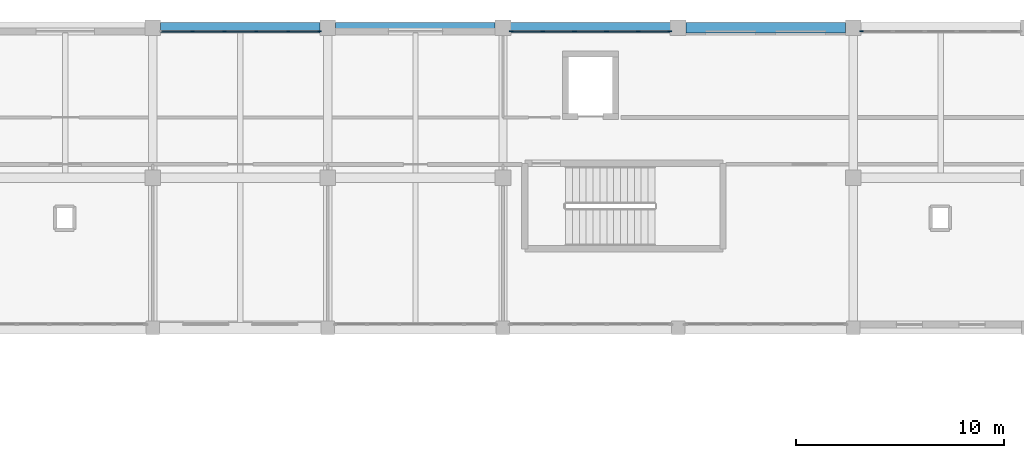
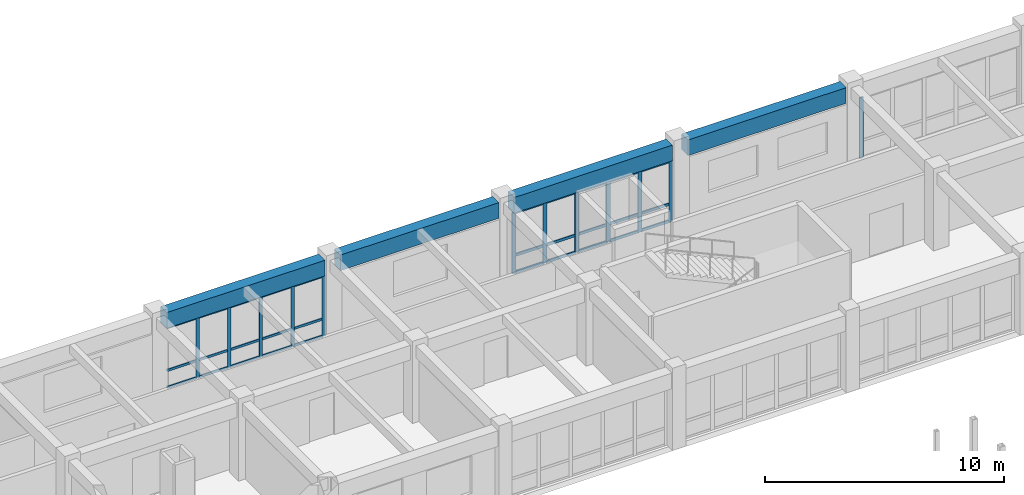
# One storey, part 97 of 147: 42 members, 4 beams, 3 elements without a shape of their own.
"""IFC4 building model written with IfcOpenShell, lengths in metres."""

import ifcopenshell
import ifcopenshell.guid

model = None  # the IFC model being written
_history = None  # IfcOwnerHistory: only IFC2X3 demands one
_inside = {}  # id of a spatial element -> (the spatial element, [elements in it])
_under = {}  # id of a project, library or spatial element -> (it, [spatial elements below it])
_declared = {}  # id of a project -> (the project, [libraries it declares])
_typed = {}  # id of a type object -> (the type object, [elements of that type])
_made_of = {}  # id of a material, layer set ... -> (it, [elements and type objects made of it])


def new_model(schema):
    """Start an empty IFC model of exactly this schema.

    Asked for "IFC4X3", IfcOpenShell would pick the latest addendum, in which some entities
    have other attributes; the version numbers below select the first issue.
    IFC2X3 requires an IfcOwnerHistory on every rooted entity: one is made here for all.
    """
    global model, _history
    if schema == "IFC4X3":
        model = ifcopenshell.file(schema_version=(4, 3, 0, 0))
    else:
        model = ifcopenshell.file(schema=schema)
    _inside.clear()
    _under.clear()
    _declared.clear()
    _typed.clear()
    _made_of.clear()
    _history = None
    if model.schema == "IFC2X3":
        org = make("IfcOrganization", Name="unknown")
        user = make(
            "IfcPersonAndOrganization",
            ThePerson=make("IfcPerson", FamilyName="unknown"),
            TheOrganization=org,
        )
        app = make(
            "IfcApplication",
            ApplicationDeveloper=org,
            Version="unknown",
            ApplicationFullName="unknown",
            ApplicationIdentifier="unknown",
        )
        _history = make(
            "IfcOwnerHistory",
            OwningUser=user,
            OwningApplication=app,
            ChangeAction="ADDED",
            CreationDate=0,
        )
    return model


def make(cls, **values):
    """One entity of the class cls with the attributes given. An attribute that is None is left unset."""
    return model.create_entity(
        cls, **{name: value for name, value in values.items() if value is not None}
    )


def rooted(cls, **values):
    """An entity with a GlobalId (a new one), such as an element, a storey or a relation."""
    return make(cls, GlobalId=ifcopenshell.guid.new(), OwnerHistory=_history, **values)


def si_unit(unit_type, name, prefix=None):
    """IfcSIUnit, for example si_unit("LENGTHUNIT", "METRE", prefix="MILLI")."""
    return make("IfcSIUnit", UnitType=unit_type, Prefix=prefix, Name=name)


def assignment(units):
    """IfcUnitAssignment: the units of a project."""
    return None if units is None else make("IfcUnitAssignment", Units=units)


def point(xyz):
    """IfcCartesianPoint."""
    return None if xyz is None else make("IfcCartesianPoint", Coordinates=xyz)


def direction(xyz):
    """IfcDirection."""
    return None if xyz is None else make("IfcDirection", DirectionRatios=xyz)


def frame(location, z_axis=None, x_axis=None):
    """IfcAxis2Placement3D, a coordinate frame: its origin and axes. An axis left out is left unset."""
    return make(
        "IfcAxis2Placement3D",
        Location=point(location),
        Axis=direction(z_axis),
        RefDirection=direction(x_axis),
    )


def frame_2d(location, x_axis=None):
    """IfcAxis2Placement2D, a coordinate frame in the plane: its origin and x axis."""
    return make(
        "IfcAxis2Placement2D", Location=point(location), RefDirection=direction(x_axis)
    )


def origin():
    """The frame at (0, 0, 0) with its axes left unset."""
    return frame((0.0, 0.0, 0.0))


def origin_2d():
    """The frame at (0, 0) in the plane with its x axis left unset."""
    return frame_2d((0.0, 0.0))


def place(relative_to, where):
    """IfcLocalPlacement: puts the frame where relative to a parent placement (None: the world)."""
    return make(
        "IfcLocalPlacement", PlacementRelTo=relative_to, RelativePlacement=where
    )


def context(
    kind, dimensions, precision=None, world=None, true_north=None, identifier=None
):
    """IfcGeometricRepresentationContext, for example the 3D "Model" context."""
    return make(
        "IfcGeometricRepresentationContext",
        ContextIdentifier=identifier,
        ContextType=kind,
        CoordinateSpaceDimension=dimensions,
        Precision=precision,
        WorldCoordinateSystem=world,
        TrueNorth=true_north,
    )


def subcontext(parent, identifier, kind, view, scale=None):
    """IfcGeometricRepresentationSubContext, for example "Body" below "Model"."""
    return make(
        "IfcGeometricRepresentationSubContext",
        ContextIdentifier=identifier,
        ContextType=kind,
        ParentContext=parent,
        TargetScale=scale,
        TargetView=view,
    )


def project(units=None, contexts=None):
    """IfcProject with its units and contexts."""
    return rooted(
        "IfcProject",
        Name="project",
        RepresentationContexts=contexts,
        UnitsInContext=assignment(units),
    )


def spatial(cls, under=None, at=None, **own):
    """A site, building, storey or space (cls), placed at a placement, below another one or the project."""
    s = rooted(cls, ObjectPlacement=at, **own)
    if under is not None:
        _under.setdefault(under.id(), (under, []))[1].append(s)
    return s


def profile(cls, at=None, kind="AREA", **sizes):
    """A parametric profile (cls). Its sizes go by their IFC names, for example OverallWidth=200.0."""
    return make(cls, ProfileType=kind, Position=at, **sizes)


def rectangle(**sizes):
    """IfcRectangleProfileDef."""
    return profile("IfcRectangleProfileDef", **sizes)


def extrude(swept, where, along, depth):
    """IfcExtrudedAreaSolid: the profile swept, set in the frame where, extruded along a direction by depth."""
    return make(
        "IfcExtrudedAreaSolid",
        SweptArea=swept,
        Position=where,
        ExtrudedDirection=direction(along),
        Depth=depth,
    )


def shape(context_of_items, identifier, shape_type, items):
    """IfcShapeRepresentation: the items that make up one representation, for example the "Body"."""
    return make(
        "IfcShapeRepresentation",
        ContextOfItems=context_of_items,
        RepresentationIdentifier=identifier,
        RepresentationType=shape_type,
        Items=items,
    )


def material(Name=None, Category=None):
    """IfcMaterial."""
    return make("IfcMaterial", Name=Name, Category=Category)


def material_profile(
    of_material, cross_section, Name=None, Category=None, Priority=None
):
    """IfcMaterialProfile: a cross section and its material."""
    return make(
        "IfcMaterialProfile",
        Name=Name,
        Material=of_material,
        Profile=cross_section,
        Priority=Priority,
        Category=Category,
    )


def profile_set(profiles, Name=None, composite=None):
    """IfcMaterialProfileSet."""
    return make(
        "IfcMaterialProfileSet",
        Name=Name,
        MaterialProfiles=profiles,
        CompositeProfile=composite,
    )


def made_of(thing, what):
    """Note that an element or type object is made of a material, layer set ...; save() writes the relation."""
    if what is not None:
        _made_of.setdefault(what.id(), (what, []))[1].append(thing)
    return thing


def type_object(cls, material=None, **own):
    """A type object (cls), such as IfcWallType, which elements share."""
    return made_of(rooted(cls, **own), material)


def element(
    cls,
    number,
    at=None,
    inside=None,
    cuts=None,
    type_object=None,
    material=None,
    context=None,
    identifier="Body",
    shape_type=None,
    held_by="IfcProductDefinitionShape",
    body=None,
    shapes=None,
    **own,
):
    """One element of the class cls, such as IfcWall. Its Tag is "e" and its number.

    at: its placement. inside: the storey or other place that contains it. cuts: it is an
    opening in that element (IfcRelVoidsElement). A single representation is given by context,
    identifier, shape_type and body (its items); several are given by shapes. held_by: the class
    of the entity that holds the representations. save() writes the other relations.
    """
    e = rooted(cls, Tag="e%d" % number, ObjectPlacement=at, **own)
    if body is not None:
        shapes = [shape(context, identifier, shape_type, body)]
    if shapes is not None:
        e.Representation = make(held_by, Representations=shapes)
    if inside is not None:
        _inside.setdefault(inside.id(), (inside, []))[1].append(e)
    if cuts is not None:
        rooted(
            "IfcRelVoidsElement", RelatingBuildingElement=cuts, RelatedOpeningElement=e
        )
    if type_object is not None:
        _typed.setdefault(type_object.id(), (type_object, []))[1].append(e)
    return made_of(e, material)


def aggregate(whole, parts):
    """IfcRelAggregates: a whole, such as a stair, and the parts it consists of."""
    return rooted("IfcRelAggregates", RelatingObject=whole, RelatedObjects=parts)


def save(model, path):
    """Write the relations noted so far, then the file.

    IfcRelAggregates (storeys below a building ...), IfcRelContainedInSpatialStructure (elements
    in a storey), IfcRelDefinesByType, IfcRelAssociatesMaterial and IfcRelDeclares: one each for
    every whole, place, type object, material and project.
    """
    for whole, parts in _under.values():
        aggregate(whole, parts)
    for where, things in _inside.values():
        rooted(
            "IfcRelContainedInSpatialStructure",
            RelatedElements=things,
            RelatingStructure=where,
        )
    for kind, things in _typed.values():
        rooted("IfcRelDefinesByType", RelatedObjects=things, RelatingType=kind)
    for what, things in _made_of.values():
        rooted("IfcRelAssociatesMaterial", RelatedObjects=things, RelatingMaterial=what)
    for by, libraries in _declared.values():
        rooted("IfcRelDeclares", RelatingContext=by, RelatedDefinitions=libraries)
    model.write(path)


model = new_model("IFC4")

# Units and contexts
model_context = context("Model", 3, precision=1e-05, world=origin(), true_north=direction((0.0, 1.0)))
body_context = subcontext(model_context, "Body", "Model", "MODEL_VIEW")
ifc_project = project(units=[si_unit("LENGTHUNIT", "METRE"), si_unit("AREAUNIT", "SQUARE_METRE"), si_unit("VOLUMEUNIT", "CUBIC_METRE"), si_unit("PLANEANGLEUNIT", "RADIAN"), si_unit("MASSUNIT", "GRAM", prefix="KILO")], contexts=[model_context])

# Site, building, storey
site_placement = place(None, origin())
site = spatial("IfcSite", under=ifc_project, at=site_placement, CompositionType="ELEMENT")
building_placement = place(site_placement, origin())
building = spatial("IfcBuilding", under=site, at=building_placement, Name="Malvenik Polytechnic", CompositionType="ELEMENT")
storey_placement = place(building_placement, frame((0.0, 0.0, 5.10009765625)))
storey = spatial("IfcBuildingStorey", under=building, at=storey_placement, Name="L01", CompositionType="ELEMENT", Elevation=5.10009765625)

# Curtain wall, members
ifc_material_1 = material(Name="Anodised aluminium 6060-T6", Category="aluminium")
curtain_wall_type = type_object("IfcCurtainWallType", Name="ARC-CW-CW-02", PredefinedType="NOTDEFINED", material=ifc_material_1)
curtain_wall_1_placement = place(storey_placement, origin())
curtain_wall_1 = element("IfcCurtainWall", 1, at=curtain_wall_1_placement, inside=storey, type_object=curtain_wall_type, Name="Unitised Curtain Wall CW-02 L01 #47", PredefinedType="NOTDEFINED")
ifc_material_2 = material(Name="Anodised aluminium", Category="aluminium")
ifc_material_profile_1 = material_profile(ifc_material_2, rectangle(XDim=0.06005859375, YDim=0.159912109375, at=origin_2d()), Name="ALU MULLION 60x160")
ifc_profile_set_1 = profile_set([ifc_material_profile_1], Name="Anodised aluminium")
member_type_1 = type_object("IfcMemberType", Name="ARC-CWM-160", PredefinedType="MULLION", material=ifc_profile_set_1)
member_1_placement = place(storey_placement, frame((35.50390625, 129.429931640625, 0.0), z_axis=(0.0, 0.0, 1.0), x_axis=(0.0, 1.0, 0.0)))
member_1 = element("IfcMember", 2, at=member_1_placement, type_object=member_type_1, Name="CW-02 mullion 2", PredefinedType="MULLION", context=body_context, shape_type="SweptSolid", body=[
    extrude(rectangle(XDim=0.06005859375, YDim=0.159912109375, at=origin_2d()), origin(), (0.0, 0.0, 1.0), 3.10986328125),
])
member_2_placement = place(storey_placement, frame((37.03466796875, 129.429931640625, 0.0), z_axis=(0.0, 0.0, 1.0), x_axis=(0.0, 1.0, 0.0)))
member_2 = element("IfcMember", 3, at=member_2_placement, type_object=member_type_1, Name="CW-02 mullion 3", PredefinedType="MULLION", context=body_context, shape_type="SweptSolid", body=[
    extrude(rectangle(XDim=0.06005859375, YDim=0.159912109375, at=origin_2d()), origin(), (0.0, 0.0, 1.0), 3.10986328125),
])
member_3_placement = place(storey_placement, frame((38.5654296875, 129.429931640625, 0.0), z_axis=(0.0, 0.0, 1.0), x_axis=(0.0, 1.0, 0.0)))
member_3 = element("IfcMember", 4, at=member_3_placement, type_object=member_type_1, Name="CW-02 mullion 4", PredefinedType="MULLION", context=body_context, shape_type="SweptSolid", body=[
    extrude(rectangle(XDim=0.06005859375, YDim=0.159912109375, at=origin_2d()), origin(), (0.0, 0.0, 1.0), 3.10986328125),
])
member_4_placement = place(storey_placement, frame((40.09619140625, 129.429931640625, 0.0), z_axis=(0.0, 0.0, 1.0), x_axis=(0.0, 1.0, 0.0)))
member_4 = element("IfcMember", 5, at=member_4_placement, type_object=member_type_1, Name="CW-02 mullion 5", PredefinedType="MULLION", context=body_context, shape_type="SweptSolid", body=[
    extrude(rectangle(XDim=0.06005859375, YDim=0.159912109375, at=origin_2d()), origin(), (0.0, 0.0, 1.0), 3.10986328125),
])
member_5_placement = place(storey_placement, frame((41.596923828125, 129.429931640625, 0.0), z_axis=(0.0, 0.0, 1.0), x_axis=(0.0, 1.0, 0.0)))
member_5 = element("IfcMember", 6, at=member_5_placement, type_object=member_type_1, Name="CW-02 mullion 6", PredefinedType="MULLION", context=body_context, shape_type="SweptSolid", body=[
    extrude(rectangle(XDim=0.06005859375, YDim=0.159912109375, at=origin_2d()), origin(), (0.0, 0.0, 1.0), 3.10986328125),
])

# Curtain wall, member
curtain_wall_2_placement = place(storey_placement, origin())
curtain_wall_2 = element("IfcCurtainWall", 7, at=curtain_wall_2_placement, inside=storey, type_object=curtain_wall_type, Name="Unitised Curtain Wall CW-02 L01 #49", PredefinedType="NOTDEFINED")
ifc_material_profile_2 = material_profile(ifc_material_2, rectangle(XDim=0.06005859375, YDim=0.179931640625, at=origin_2d()), Name="ALU MULLION 60x180")
ifc_profile_set_2 = profile_set([ifc_material_profile_2], Name="Anodised aluminium")
member_type_2 = type_object("IfcMemberType", Name="ARC-CWM-180", PredefinedType="MULLION", material=ifc_profile_set_2)
member_6_placement = place(storey_placement, frame((67.60302734375, 129.429931640625, 0.0), z_axis=(0.0, 0.0, 1.0), x_axis=(0.0, 1.0, 0.0)))
member_6 = element("IfcMember", 8, at=member_6_placement, type_object=member_type_2, Name="CW-02 mullion 1", PredefinedType="MULLION", context=body_context, shape_type="SweptSolid", body=[
    extrude(rectangle(XDim=0.06005859375, YDim=0.179931640625, at=origin_2d()), origin(), (0.0, 0.0, 1.0), 3.10986328125),
])
aggregate(curtain_wall_2, [member_6])

# Curtain wall, members
curtain_wall_3_placement = place(storey_placement, origin())
curtain_wall_3 = element("IfcCurtainWall", 9, at=curtain_wall_3_placement, inside=storey, type_object=curtain_wall_type, Name="Unitised Curtain Wall CW-02 L01 #48", PredefinedType="NOTDEFINED")
ifc_material_profile_3 = material_profile(ifc_material_2, rectangle(XDim=0.06005859375, YDim=0.199951171875, at=origin_2d()), Name="ALU MULLION 60x200")
ifc_profile_set_3 = profile_set([ifc_material_profile_3], Name="Anodised aluminium")
member_type_3 = type_object("IfcMemberType", Name="ARC-CWM-200", PredefinedType="MULLION", material=ifc_profile_set_3)
member_7_placement = place(storey_placement, frame((50.802978515625, 129.429931640625, 0.0), z_axis=(0.0, 0.0, 1.0), x_axis=(0.0, 1.0, 0.0)))
member_7 = element("IfcMember", 10, at=member_7_placement, type_object=member_type_3, Name="CW-02 mullion 1", PredefinedType="MULLION", context=body_context, shape_type="SweptSolid", body=[
    extrude(rectangle(XDim=0.06005859375, YDim=0.199951171875, at=origin_2d()), origin(), (0.0, 0.0, 1.0), 3.10986328125),
])
member_8_placement = place(storey_placement, frame((52.3037109375, 129.429931640625, 0.0), z_axis=(0.0, 0.0, 1.0), x_axis=(0.0, 1.0, 0.0)))
member_8 = element("IfcMember", 11, at=member_8_placement, type_object=member_type_3, Name="CW-02 mullion 2", PredefinedType="MULLION", context=body_context, shape_type="SweptSolid", body=[
    extrude(rectangle(XDim=0.06005859375, YDim=0.199951171875, at=origin_2d()), origin(), (0.0, 0.0, 1.0), 3.10986328125),
])
member_9_placement = place(storey_placement, frame((53.834716796875, 129.429931640625, 0.0), z_axis=(0.0, 0.0, 1.0), x_axis=(0.0, 1.0, 0.0)))
member_9 = element("IfcMember", 12, at=member_9_placement, type_object=member_type_3, Name="CW-02 mullion 3", PredefinedType="MULLION", context=body_context, shape_type="SweptSolid", body=[
    extrude(rectangle(XDim=0.06005859375, YDim=0.199951171875, at=origin_2d()), origin(), (0.0, 0.0, 1.0), 3.10986328125),
])
member_10_placement = place(storey_placement, frame((55.365478515625, 129.429931640625, 0.0), z_axis=(0.0, 0.0, 1.0), x_axis=(0.0, 1.0, 0.0)))
member_10 = element("IfcMember", 13, at=member_10_placement, type_object=member_type_3, Name="CW-02 mullion 4", PredefinedType="MULLION", context=body_context, shape_type="SweptSolid", body=[
    extrude(rectangle(XDim=0.06005859375, YDim=0.199951171875, at=origin_2d()), origin(), (0.0, 0.0, 1.0), 3.10986328125),
])
member_11_placement = place(storey_placement, frame((56.896240234375, 129.429931640625, 0.0), z_axis=(0.0, 0.0, 1.0), x_axis=(0.0, 1.0, 0.0)))
member_11 = element("IfcMember", 14, at=member_11_placement, type_object=member_type_3, Name="CW-02 mullion 5", PredefinedType="MULLION", context=body_context, shape_type="SweptSolid", body=[
    extrude(rectangle(XDim=0.06005859375, YDim=0.199951171875, at=origin_2d()), origin(), (0.0, 0.0, 1.0), 3.10986328125),
])
member_12_placement = place(storey_placement, frame((58.39697265625, 129.429931640625, 0.0), z_axis=(0.0, 0.0, 1.0), x_axis=(0.0, 1.0, 0.0)))
member_12 = element("IfcMember", 15, at=member_12_placement, type_object=member_type_3, Name="CW-02 mullion 6", PredefinedType="MULLION", context=body_context, shape_type="SweptSolid", body=[
    extrude(rectangle(XDim=0.06005859375, YDim=0.199951171875, at=origin_2d()), origin(), (0.0, 0.0, 1.0), 3.10986328125),
])

# Member
ifc_material_profile_4 = material_profile(ifc_material_2, rectangle(XDim=0.06005859375, YDim=0.1201171875, at=origin_2d()), Name="ALU TRANSOM 60x120")
ifc_profile_set_4 = profile_set([ifc_material_profile_4], Name="Anodised aluminium")
member_type_4 = type_object("IfcMemberType", Name="ARC-CWT-120", PredefinedType="USERDEFINED", material=ifc_profile_set_4)
member_13_placement = place(storey_placement, frame((34.032958984375, 129.429931640625, 0.02978515625), z_axis=(1.0, 0.0, 0.0), x_axis=(0.0, 1.0, 0.0)))
member_13 = element("IfcMember", 16, at=member_13_placement, type_object=member_type_4, Name="CW-02 transom 1.1", ObjectType="TRANSOM", PredefinedType="USERDEFINED", context=body_context, shape_type="SweptSolid", body=[
    extrude(rectangle(XDim=0.06005859375, YDim=0.1201171875, at=origin_2d()), origin(), (0.0, 0.0, 1.0), 1.44091796875),
])

member_14_placement = place(storey_placement, frame((34.032958984375, 129.429931640625, 0.89990234375), z_axis=(1.0, 0.0, 0.0), x_axis=(0.0, 1.0, 0.0)))
member_14 = element("IfcMember", 17, at=member_14_placement, type_object=member_type_4, Name="CW-02 transom 1.2", ObjectType="TRANSOM", PredefinedType="USERDEFINED", context=body_context, shape_type="SweptSolid", body=[
    extrude(rectangle(XDim=0.06005859375, YDim=0.1201171875, at=origin_2d()), origin(), (0.0, 0.0, 1.0), 1.44091796875),
])

member_15_placement = place(storey_placement, frame((34.032958984375, 129.429931640625, 3.079833984375), z_axis=(1.0, 0.0, 0.0), x_axis=(0.0, 1.0, 0.0)))
member_15 = element("IfcMember", 18, at=member_15_placement, type_object=member_type_4, Name="CW-02 transom 1.3", ObjectType="TRANSOM", PredefinedType="USERDEFINED", context=body_context, shape_type="SweptSolid", body=[
    extrude(rectangle(XDim=0.06005859375, YDim=0.1201171875, at=origin_2d()), origin(), (0.0, 0.0, 1.0), 1.44091796875),
])

member_16_placement = place(storey_placement, frame((35.53369140625, 129.429931640625, 0.02978515625), z_axis=(1.0, 0.0, 0.0), x_axis=(0.0, 1.0, 0.0)))
member_16 = element("IfcMember", 19, at=member_16_placement, type_object=member_type_4, Name="CW-02 transom 2.1", ObjectType="TRANSOM", PredefinedType="USERDEFINED", context=body_context, shape_type="SweptSolid", body=[
    extrude(rectangle(XDim=0.06005859375, YDim=0.1201171875, at=origin_2d()), origin(), (0.0, 0.0, 1.0), 1.470947265625),
])

member_17_placement = place(storey_placement, frame((35.53369140625, 129.429931640625, 0.89990234375), z_axis=(1.0, 0.0, 0.0), x_axis=(0.0, 1.0, 0.0)))
member_17 = element("IfcMember", 20, at=member_17_placement, type_object=member_type_4, Name="CW-02 transom 2.2", ObjectType="TRANSOM", PredefinedType="USERDEFINED", context=body_context, shape_type="SweptSolid", body=[
    extrude(rectangle(XDim=0.06005859375, YDim=0.1201171875, at=origin_2d()), origin(), (0.0, 0.0, 1.0), 1.470947265625),
])

member_18_placement = place(storey_placement, frame((35.53369140625, 129.429931640625, 3.079833984375), z_axis=(1.0, 0.0, 0.0), x_axis=(0.0, 1.0, 0.0)))
member_18 = element("IfcMember", 21, at=member_18_placement, type_object=member_type_4, Name="CW-02 transom 2.3", ObjectType="TRANSOM", PredefinedType="USERDEFINED", context=body_context, shape_type="SweptSolid", body=[
    extrude(rectangle(XDim=0.06005859375, YDim=0.1201171875, at=origin_2d()), origin(), (0.0, 0.0, 1.0), 1.470947265625),
])

member_19_placement = place(storey_placement, frame((37.064697265625, 129.429931640625, 0.02978515625), z_axis=(1.0, 0.0, 0.0), x_axis=(0.0, 1.0, 0.0)))
member_19 = element("IfcMember", 22, at=member_19_placement, type_object=member_type_4, Name="CW-02 transom 3.1", ObjectType="TRANSOM", PredefinedType="USERDEFINED", context=body_context, shape_type="SweptSolid", body=[
    extrude(rectangle(XDim=0.06005859375, YDim=0.1201171875, at=origin_2d()), origin(), (0.0, 0.0, 1.0), 1.470703125),
])

member_20_placement = place(storey_placement, frame((37.064697265625, 129.429931640625, 0.89990234375), z_axis=(1.0, 0.0, 0.0), x_axis=(0.0, 1.0, 0.0)))
member_20 = element("IfcMember", 23, at=member_20_placement, type_object=member_type_4, Name="CW-02 transom 3.2", ObjectType="TRANSOM", PredefinedType="USERDEFINED", context=body_context, shape_type="SweptSolid", body=[
    extrude(rectangle(XDim=0.06005859375, YDim=0.1201171875, at=origin_2d()), origin(), (0.0, 0.0, 1.0), 1.470703125),
])

member_21_placement = place(storey_placement, frame((37.064697265625, 129.429931640625, 3.079833984375), z_axis=(1.0, 0.0, 0.0), x_axis=(0.0, 1.0, 0.0)))
member_21 = element("IfcMember", 24, at=member_21_placement, type_object=member_type_4, Name="CW-02 transom 3.3", ObjectType="TRANSOM", PredefinedType="USERDEFINED", context=body_context, shape_type="SweptSolid", body=[
    extrude(rectangle(XDim=0.06005859375, YDim=0.1201171875, at=origin_2d()), origin(), (0.0, 0.0, 1.0), 1.470703125),
])

member_22_placement = place(storey_placement, frame((38.595458984375, 129.429931640625, 0.02978515625), z_axis=(1.0, 0.0, 0.0), x_axis=(0.0, 1.0, 0.0)))
member_22 = element("IfcMember", 25, at=member_22_placement, type_object=member_type_4, Name="CW-02 transom 4.1", ObjectType="TRANSOM", PredefinedType="USERDEFINED", context=body_context, shape_type="SweptSolid", body=[
    extrude(rectangle(XDim=0.06005859375, YDim=0.1201171875, at=origin_2d()), origin(), (0.0, 0.0, 1.0), 1.470703125),
])

member_23_placement = place(storey_placement, frame((38.595458984375, 129.429931640625, 0.89990234375), z_axis=(1.0, 0.0, 0.0), x_axis=(0.0, 1.0, 0.0)))
member_23 = element("IfcMember", 26, at=member_23_placement, type_object=member_type_4, Name="CW-02 transom 4.2", ObjectType="TRANSOM", PredefinedType="USERDEFINED", context=body_context, shape_type="SweptSolid", body=[
    extrude(rectangle(XDim=0.06005859375, YDim=0.1201171875, at=origin_2d()), origin(), (0.0, 0.0, 1.0), 1.470703125),
])

member_24_placement = place(storey_placement, frame((38.595458984375, 129.429931640625, 3.079833984375), z_axis=(1.0, 0.0, 0.0), x_axis=(0.0, 1.0, 0.0)))
member_24 = element("IfcMember", 27, at=member_24_placement, type_object=member_type_4, Name="CW-02 transom 4.3", ObjectType="TRANSOM", PredefinedType="USERDEFINED", context=body_context, shape_type="SweptSolid", body=[
    extrude(rectangle(XDim=0.06005859375, YDim=0.1201171875, at=origin_2d()), origin(), (0.0, 0.0, 1.0), 1.470703125),
])

member_25_placement = place(storey_placement, frame((40.126220703125, 129.429931640625, 0.02978515625), z_axis=(1.0, 0.0, 0.0), x_axis=(0.0, 1.0, 0.0)))
member_25 = element("IfcMember", 28, at=member_25_placement, type_object=member_type_4, Name="CW-02 transom 5.1", ObjectType="TRANSOM", PredefinedType="USERDEFINED", context=body_context, shape_type="SweptSolid", body=[
    extrude(rectangle(XDim=0.06005859375, YDim=0.1201171875, at=origin_2d()), origin(), (0.0, 0.0, 1.0), 1.440673828125),
])

member_26_placement = place(storey_placement, frame((40.126220703125, 129.429931640625, 0.89990234375), z_axis=(1.0, 0.0, 0.0), x_axis=(0.0, 1.0, 0.0)))
member_26 = element("IfcMember", 29, at=member_26_placement, type_object=member_type_4, Name="CW-02 transom 5.2", ObjectType="TRANSOM", PredefinedType="USERDEFINED", context=body_context, shape_type="SweptSolid", body=[
    extrude(rectangle(XDim=0.06005859375, YDim=0.1201171875, at=origin_2d()), origin(), (0.0, 0.0, 1.0), 1.440673828125),
])

member_27_placement = place(storey_placement, frame((40.126220703125, 129.429931640625, 3.079833984375), z_axis=(1.0, 0.0, 0.0), x_axis=(0.0, 1.0, 0.0)))
member_27 = element("IfcMember", 30, at=member_27_placement, type_object=member_type_4, Name="CW-02 transom 5.3", ObjectType="TRANSOM", PredefinedType="USERDEFINED", context=body_context, shape_type="SweptSolid", body=[
    extrude(rectangle(XDim=0.06005859375, YDim=0.1201171875, at=origin_2d()), origin(), (0.0, 0.0, 1.0), 1.440673828125),
])

aggregate(curtain_wall_1, [member_1, member_2, member_3, member_4, member_5, member_13, member_14, member_15, member_16, member_17, member_18, member_19, member_20, member_21, member_22, member_23, member_24, member_25, member_26, member_27])

ifc_material_profile_5 = material_profile(ifc_material_2, rectangle(XDim=0.06005859375, YDim=0.139892578125, at=origin_2d()), Name="ALU TRANSOM 60x140")
ifc_profile_set_5 = profile_set([ifc_material_profile_5], Name="Anodised aluminium")
member_type_5 = type_object("IfcMemberType", Name="ARC-CWT-140", PredefinedType="USERDEFINED", material=ifc_profile_set_5)
member_28_placement = place(storey_placement, frame((50.8330078125, 129.429931640625, 0.02978515625), z_axis=(1.0, 0.0, 0.0), x_axis=(0.0, 1.0, 0.0)))
member_28 = element("IfcMember", 31, at=member_28_placement, type_object=member_type_5, Name="CW-02 transom 1.1", ObjectType="TRANSOM", PredefinedType="USERDEFINED", context=body_context, shape_type="SweptSolid", body=[
    extrude(rectangle(XDim=0.06005859375, YDim=0.139892578125, at=origin_2d()), origin(), (0.0, 0.0, 1.0), 1.440673828125),
])

member_29_placement = place(storey_placement, frame((50.8330078125, 129.429931640625, 0.89990234375), z_axis=(1.0, 0.0, 0.0), x_axis=(0.0, 1.0, 0.0)))
member_29 = element("IfcMember", 32, at=member_29_placement, type_object=member_type_5, Name="CW-02 transom 1.2", ObjectType="TRANSOM", PredefinedType="USERDEFINED", context=body_context, shape_type="SweptSolid", body=[
    extrude(rectangle(XDim=0.06005859375, YDim=0.139892578125, at=origin_2d()), origin(), (0.0, 0.0, 1.0), 1.440673828125),
])

member_30_placement = place(storey_placement, frame((50.8330078125, 129.429931640625, 3.079833984375), z_axis=(1.0, 0.0, 0.0), x_axis=(0.0, 1.0, 0.0)))
member_30 = element("IfcMember", 33, at=member_30_placement, type_object=member_type_5, Name="CW-02 transom 1.3", ObjectType="TRANSOM", PredefinedType="USERDEFINED", context=body_context, shape_type="SweptSolid", body=[
    extrude(rectangle(XDim=0.06005859375, YDim=0.139892578125, at=origin_2d()), origin(), (0.0, 0.0, 1.0), 1.440673828125),
])

member_31_placement = place(storey_placement, frame((52.333740234375, 129.429931640625, 0.02978515625), z_axis=(1.0, 0.0, 0.0), x_axis=(0.0, 1.0, 0.0)))
member_31 = element("IfcMember", 34, at=member_31_placement, type_object=member_type_5, Name="CW-02 transom 2.1", ObjectType="TRANSOM", PredefinedType="USERDEFINED", context=body_context, shape_type="SweptSolid", body=[
    extrude(rectangle(XDim=0.06005859375, YDim=0.139892578125, at=origin_2d()), origin(), (0.0, 0.0, 1.0), 1.470947265625),
])

member_32_placement = place(storey_placement, frame((52.333740234375, 129.429931640625, 0.89990234375), z_axis=(1.0, 0.0, 0.0), x_axis=(0.0, 1.0, 0.0)))
member_32 = element("IfcMember", 35, at=member_32_placement, type_object=member_type_5, Name="CW-02 transom 2.2", ObjectType="TRANSOM", PredefinedType="USERDEFINED", context=body_context, shape_type="SweptSolid", body=[
    extrude(rectangle(XDim=0.06005859375, YDim=0.139892578125, at=origin_2d()), origin(), (0.0, 0.0, 1.0), 1.470947265625),
])

member_33_placement = place(storey_placement, frame((52.333740234375, 129.429931640625, 3.079833984375), z_axis=(1.0, 0.0, 0.0), x_axis=(0.0, 1.0, 0.0)))
member_33 = element("IfcMember", 36, at=member_33_placement, type_object=member_type_5, Name="CW-02 transom 2.3", ObjectType="TRANSOM", PredefinedType="USERDEFINED", context=body_context, shape_type="SweptSolid", body=[
    extrude(rectangle(XDim=0.06005859375, YDim=0.139892578125, at=origin_2d()), origin(), (0.0, 0.0, 1.0), 1.470947265625),
])

member_34_placement = place(storey_placement, frame((53.864501953125, 129.429931640625, 0.02978515625), z_axis=(1.0, 0.0, 0.0), x_axis=(0.0, 1.0, 0.0)))
member_34 = element("IfcMember", 37, at=member_34_placement, type_object=member_type_5, Name="CW-02 transom 3.1", ObjectType="TRANSOM", PredefinedType="USERDEFINED", context=body_context, shape_type="SweptSolid", body=[
    extrude(rectangle(XDim=0.06005859375, YDim=0.139892578125, at=origin_2d()), origin(), (0.0, 0.0, 1.0), 1.470947265625),
])

member_35_placement = place(storey_placement, frame((53.864501953125, 129.429931640625, 0.89990234375), z_axis=(1.0, 0.0, 0.0), x_axis=(0.0, 1.0, 0.0)))
member_35 = element("IfcMember", 38, at=member_35_placement, type_object=member_type_5, Name="CW-02 transom 3.2", ObjectType="TRANSOM", PredefinedType="USERDEFINED", context=body_context, shape_type="SweptSolid", body=[
    extrude(rectangle(XDim=0.06005859375, YDim=0.139892578125, at=origin_2d()), origin(), (0.0, 0.0, 1.0), 1.470947265625),
])

member_36_placement = place(storey_placement, frame((53.864501953125, 129.429931640625, 3.079833984375), z_axis=(1.0, 0.0, 0.0), x_axis=(0.0, 1.0, 0.0)))
member_36 = element("IfcMember", 39, at=member_36_placement, type_object=member_type_5, Name="CW-02 transom 3.3", ObjectType="TRANSOM", PredefinedType="USERDEFINED", context=body_context, shape_type="SweptSolid", body=[
    extrude(rectangle(XDim=0.06005859375, YDim=0.139892578125, at=origin_2d()), origin(), (0.0, 0.0, 1.0), 1.470947265625),
])

member_37_placement = place(storey_placement, frame((55.3955078125, 129.429931640625, 0.02978515625), z_axis=(1.0, 0.0, 0.0), x_axis=(0.0, 1.0, 0.0)))
member_37 = element("IfcMember", 40, at=member_37_placement, type_object=member_type_5, Name="CW-02 transom 4.1", ObjectType="TRANSOM", PredefinedType="USERDEFINED", context=body_context, shape_type="SweptSolid", body=[
    extrude(rectangle(XDim=0.06005859375, YDim=0.139892578125, at=origin_2d()), origin(), (0.0, 0.0, 1.0), 1.470703125),
])

member_38_placement = place(storey_placement, frame((55.3955078125, 129.429931640625, 0.89990234375), z_axis=(1.0, 0.0, 0.0), x_axis=(0.0, 1.0, 0.0)))
member_38 = element("IfcMember", 41, at=member_38_placement, type_object=member_type_5, Name="CW-02 transom 4.2", ObjectType="TRANSOM", PredefinedType="USERDEFINED", context=body_context, shape_type="SweptSolid", body=[
    extrude(rectangle(XDim=0.06005859375, YDim=0.139892578125, at=origin_2d()), origin(), (0.0, 0.0, 1.0), 1.470703125),
])

member_39_placement = place(storey_placement, frame((55.3955078125, 129.429931640625, 3.079833984375), z_axis=(1.0, 0.0, 0.0), x_axis=(0.0, 1.0, 0.0)))
member_39 = element("IfcMember", 42, at=member_39_placement, type_object=member_type_5, Name="CW-02 transom 4.3", ObjectType="TRANSOM", PredefinedType="USERDEFINED", context=body_context, shape_type="SweptSolid", body=[
    extrude(rectangle(XDim=0.06005859375, YDim=0.139892578125, at=origin_2d()), origin(), (0.0, 0.0, 1.0), 1.470703125),
])

member_40_placement = place(storey_placement, frame((56.92626953125, 129.429931640625, 0.02978515625), z_axis=(1.0, 0.0, 0.0), x_axis=(0.0, 1.0, 0.0)))
member_40 = element("IfcMember", 43, at=member_40_placement, type_object=member_type_5, Name="CW-02 transom 5.1", ObjectType="TRANSOM", PredefinedType="USERDEFINED", context=body_context, shape_type="SweptSolid", body=[
    extrude(rectangle(XDim=0.06005859375, YDim=0.139892578125, at=origin_2d()), origin(), (0.0, 0.0, 1.0), 1.440673828125),
])

member_41_placement = place(storey_placement, frame((56.92626953125, 129.429931640625, 0.89990234375), z_axis=(1.0, 0.0, 0.0), x_axis=(0.0, 1.0, 0.0)))
member_41 = element("IfcMember", 44, at=member_41_placement, type_object=member_type_5, Name="CW-02 transom 5.2", ObjectType="TRANSOM", PredefinedType="USERDEFINED", context=body_context, shape_type="SweptSolid", body=[
    extrude(rectangle(XDim=0.06005859375, YDim=0.139892578125, at=origin_2d()), origin(), (0.0, 0.0, 1.0), 1.440673828125),
])

member_42_placement = place(storey_placement, frame((56.92626953125, 129.429931640625, 3.079833984375), z_axis=(1.0, 0.0, 0.0), x_axis=(0.0, 1.0, 0.0)))
member_42 = element("IfcMember", 45, at=member_42_placement, type_object=member_type_5, Name="CW-02 transom 5.3", ObjectType="TRANSOM", PredefinedType="USERDEFINED", context=body_context, shape_type="SweptSolid", body=[
    extrude(rectangle(XDim=0.06005859375, YDim=0.139892578125, at=origin_2d()), origin(), (0.0, 0.0, 1.0), 1.440673828125),
])

aggregate(curtain_wall_3, [member_7, member_8, member_9, member_10, member_11, member_12, member_28, member_29, member_30, member_31, member_32, member_33, member_34, member_35, member_36, member_37, member_38, member_39, member_40, member_41, member_42])

# Beams
ifc_material_3 = material(Name="Precast concrete C40/50", Category="concrete")
ifc_material_profile_6 = material_profile(ifc_material_3, rectangle(XDim=0.52001953125, YDim=0.800048828125, at=origin_2d()), Name="PC SPN 520x800")
ifc_profile_set_6 = profile_set([ifc_material_profile_6], Name="Precast concrete C40/50")
beam_type = type_object("IfcBeamType", Name="STR-BM-SP-01", PredefinedType="SPANDREL", material=ifc_profile_set_6)
for number, where, z_axis, x_axis, name in (
    (46, (33.972900390625, 129.60009765625, 3.52001953125), (1.0, 0.0, 0.0), (0.0, 1.0, 0.0), "Primary Beam SP-01 L01 #1115"),
    (47, (42.373046875, 129.60009765625, 3.52001953125), (1.0, 0.0, 0.0), (0.0, 1.0, 0.0), "Primary Beam SP-01 L01 #1116"),
    (48, (50.77294921875, 129.60009765625, 3.52001953125), (1.0, 0.0, 0.0), (0.0, 1.0, 0.0), "Primary Beam SP-01 L01 #1117"),
):
    element("IfcBeam", number, at=place(storey_placement, frame(where, z_axis=z_axis, x_axis=x_axis)), inside=storey, type_object=beam_type, Name=name, PredefinedType="SPANDREL", context=body_context, shape_type="SweptSolid", body=[
        extrude(rectangle(XDim=0.52001953125, YDim=0.800048828125, at=origin_2d()), origin(), (0.0, 0.0, 1.0), 7.654052734375),
    ])
beam_placement = place(storey_placement, frame((59.173095703125, 129.60009765625, 3.52001953125), z_axis=(1.0, 0.0, 0.0), x_axis=(0.0, 1.0, 0.0)))
element("IfcBeam", 49, at=beam_placement, inside=storey, type_object=beam_type, Name="Primary Beam SP-01 L01 #1118", PredefinedType="SPANDREL", context=body_context, shape_type="SweptSolid", body=[
    extrude(rectangle(XDim=0.52001953125, YDim=0.800048828125, at=origin_2d()), origin(), (0.0, 0.0, 1.0), 7.65380859375),
])

save(model, "model.ifc")
